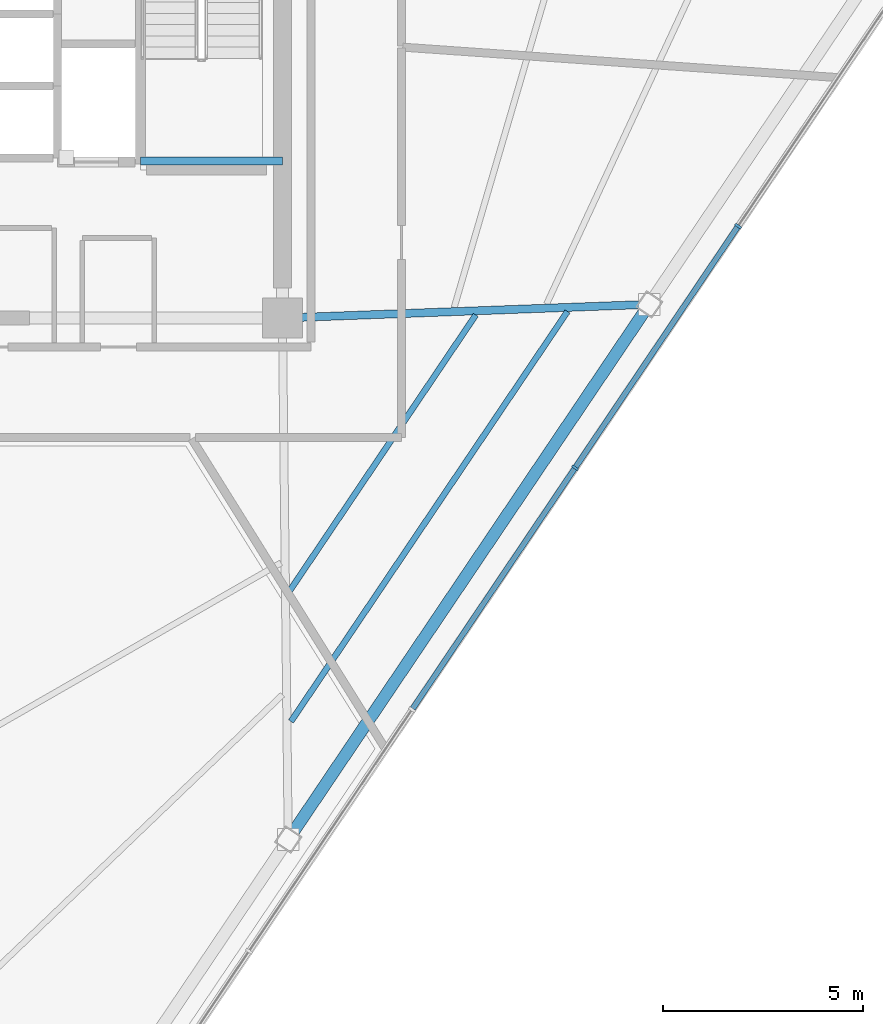
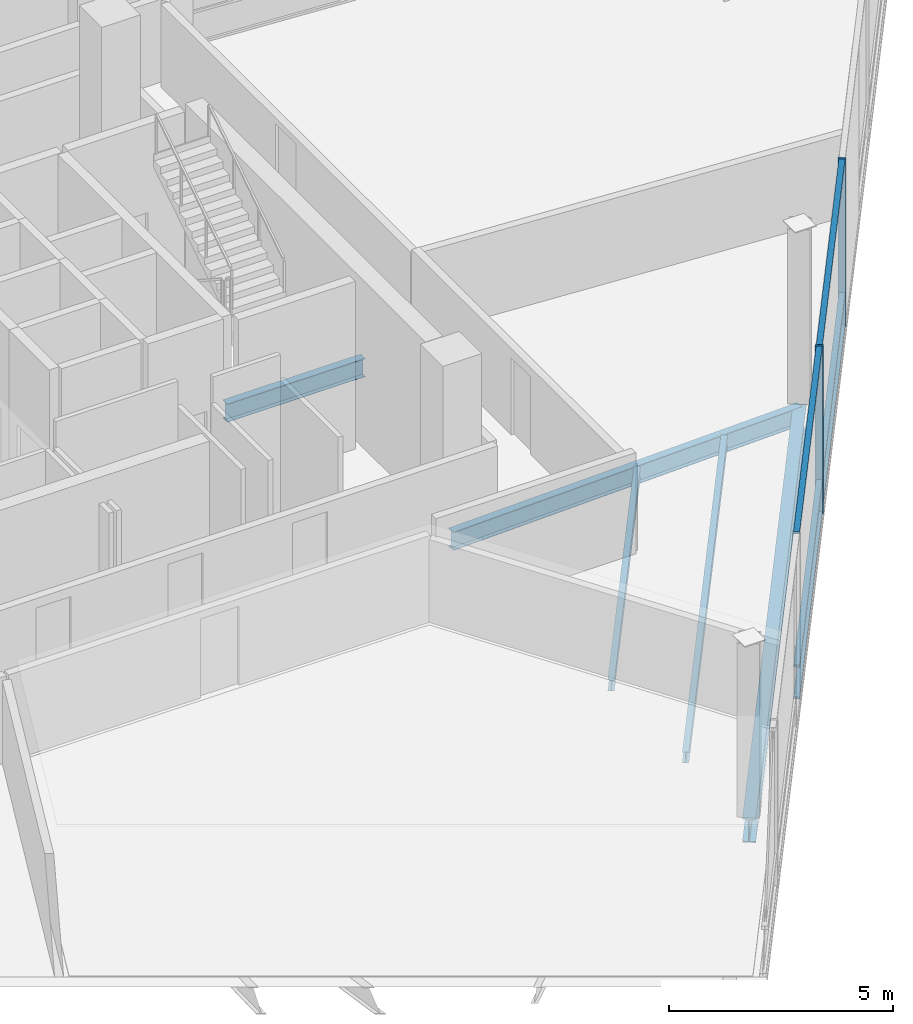
# One storey, part 4 of 13: 8 members, 5 beams, 1 element without a shape of its own.
"""IFC4 building model written with IfcOpenShell, lengths in metres."""

from ifc_helpers import new_model, si_unit, direction, frame, origin, origin_2d, place, context, subcontext, project, spatial, rectangle, i_section, extrude, material, layer, layer_set, material_profile, profile_set, type_object, element, aggregate, save


model = new_model("IFC4")

# Units and contexts
model_context = context("Model", 3, precision=1e-05, world=origin(), true_north=direction((0.0, 1.0)))
body_context = subcontext(model_context, "Body", "Model", "MODEL_VIEW")
ifc_project = project(units=[si_unit("LENGTHUNIT", "METRE"), si_unit("AREAUNIT", "SQUARE_METRE"), si_unit("VOLUMEUNIT", "CUBIC_METRE"), si_unit("PLANEANGLEUNIT", "RADIAN"), si_unit("MASSUNIT", "GRAM", prefix="KILO")], contexts=[model_context])

# Site, building, storey
site_placement = place(None, origin())
site = spatial("IfcSite", under=ifc_project, at=site_placement, CompositionType="ELEMENT")
building_placement = place(site_placement, origin())
building = spatial("IfcBuilding", under=site, at=building_placement, Name="Tharavind Bronze Gate", CompositionType="ELEMENT")
storey_placement = place(building_placement, frame((0.0, 0.0, 248.64990234375)))
storey = spatial("IfcBuildingStorey", under=building, at=storey_placement, Name="L64", CompositionType="ELEMENT", Elevation=248.64990234375)

# Curtain wall, members
ifc_material_1 = material(Name="Anodised Bronze Aluminium", Category="aluminium")
ifc_layer = layer(ifc_material_1, 0.219970703125)
ifc_layer_set = layer_set([ifc_layer], Name="Anodised Bronze Aluminium")
curtain_wall_type = type_object("IfcCurtainWallType", Name="UNITISED CURTAIN WALL UPPER OFFICE", PredefinedType="USERDEFINED", material=ifc_layer_set)
curtain_wall_placement = place(storey_placement, origin())
curtain_wall = element("IfcCurtainWall", 1, at=curtain_wall_placement, inside=storey, type_object=curtain_wall_type, Name="L64 unitised curtain wall upper office CW-L64-S2", ObjectType="UNITISED CURTAIN WALL", PredefinedType="USERDEFINED")
member_type_1 = type_object("IfcMemberType", Name="CURTAIN WALL BRONZE MULLION 65X180", PredefinedType="MULLION", material=ifc_material_1)
member_1_placement = place(storey_placement, frame((16.212890625, -11.34326171875, 0.0), z_axis=(0.0, 0.0, 1.0), x_axis=(0.559192903471, 0.829037572555, 0.0)))
member_1 = element("IfcMember", 2, at=member_1_placement, type_object=member_type_1, Name="CW-L64-S2 mullion 5", PredefinedType="MULLION", context=body_context, shape_type="SweptSolid", body=[
    extrude(rectangle(XDim=0.06494140625, YDim=0.179931640625, at=origin_2d()), origin(), (0.0, 0.0, 1.0), 4.56005859375),
])
member_2_placement = place(storey_placement, frame((20.285400390625, -5.305419921875, 0.0), z_axis=(0.0, 0.0, 1.0), x_axis=(0.559192903471, 0.829037572555, 0.0)))
member_2 = element("IfcMember", 3, at=member_2_placement, type_object=member_type_1, Name="CW-L64-S2 mullion 6", PredefinedType="MULLION", context=body_context, shape_type="SweptSolid", body=[
    extrude(rectangle(XDim=0.06494140625, YDim=0.179931640625, at=origin_2d()), origin(), (0.0, 0.0, 1.0), 4.56005859375),
])
member_type_2 = type_object("IfcMemberType", Name="CURTAIN WALL BRONZE TRANSOM 65X140", PredefinedType="USERDEFINED", material=ifc_material_1)
member_3_placement = place(storey_placement, frame((14.176513671875, -14.3623046875, 0.000244140625), z_axis=(0.0, 0.0, 1.0), x_axis=(0.559192903471, 0.829037572555, 0.0)))
member_3 = element("IfcMember", 4, at=member_3_placement, type_object=member_type_2, Name="CW-L64-S2 transom TB4", ObjectType="TRANSOM", PredefinedType="USERDEFINED", context=body_context, shape_type="SweptSolid", body=[
    extrude(rectangle(XDim=7.22998046875, YDim=0.139892578125, at=origin_2d()), origin(), (0.0, 0.0, 1.0), 0.06494140625),
])
member_4_placement = place(storey_placement, frame((14.176513671875, -14.3623046875, 0.86767578125), z_axis=(0.0, 0.0, 1.0), x_axis=(0.559192903471, 0.829037572555, 0.0)))
member_4 = element("IfcMember", 5, at=member_4_placement, type_object=member_type_2, Name="CW-L64-S2 transom TS4", ObjectType="TRANSOM", PredefinedType="USERDEFINED", context=body_context, shape_type="SweptSolid", body=[
    extrude(rectangle(XDim=7.22998046875, YDim=0.139892578125, at=origin_2d()), origin(), (0.0, 0.0, 1.0), 0.06494140625),
])
member_5_placement = place(storey_placement, frame((14.176513671875, -14.3623046875, 4.4951171875), z_axis=(0.0, 0.0, 1.0), x_axis=(0.559192903471, 0.829037572555, 0.0)))
member_5 = element("IfcMember", 6, at=member_5_placement, type_object=member_type_2, Name="CW-L64-S2 transom TT4", ObjectType="TRANSOM", PredefinedType="USERDEFINED", context=body_context, shape_type="SweptSolid", body=[
    extrude(rectangle(XDim=7.22998046875, YDim=0.139892578125, at=origin_2d()), origin(), (0.0, 0.0, 1.0), 0.06494140625),
])
member_6_placement = place(storey_placement, frame((18.2490234375, -8.324462890625, 0.000244140625), z_axis=(0.0, 0.0, 1.0), x_axis=(0.559192903471, 0.829037572555, 0.0)))
member_6 = element("IfcMember", 7, at=member_6_placement, type_object=member_type_2, Name="CW-L64-S2 transom TB5", ObjectType="TRANSOM", PredefinedType="USERDEFINED", context=body_context, shape_type="SweptSolid", body=[
    extrude(rectangle(XDim=7.22998046875, YDim=0.139892578125, at=origin_2d()), origin(), (0.0, 0.0, 1.0), 0.06494140625),
])
member_7_placement = place(storey_placement, frame((18.2490234375, -8.324462890625, 0.86767578125), z_axis=(0.0, 0.0, 1.0), x_axis=(0.559192903471, 0.829037572555, 0.0)))
member_7 = element("IfcMember", 8, at=member_7_placement, type_object=member_type_2, Name="CW-L64-S2 transom TS5", ObjectType="TRANSOM", PredefinedType="USERDEFINED", context=body_context, shape_type="SweptSolid", body=[
    extrude(rectangle(XDim=7.22998046875, YDim=0.139892578125, at=origin_2d()), origin(), (0.0, 0.0, 1.0), 0.06494140625),
])
member_8_placement = place(storey_placement, frame((18.2490234375, -8.324462890625, 4.4951171875), z_axis=(0.0, 0.0, 1.0), x_axis=(0.559192903471, 0.829037572555, 0.0)))
member_8 = element("IfcMember", 9, at=member_8_placement, type_object=member_type_2, Name="CW-L64-S2 transom TT5", ObjectType="TRANSOM", PredefinedType="USERDEFINED", context=body_context, shape_type="SweptSolid", body=[
    extrude(rectangle(XDim=7.22998046875, YDim=0.139892578125, at=origin_2d()), origin(), (0.0, 0.0, 1.0), 0.06494140625),
])
aggregate(curtain_wall, [member_1, member_2, member_3, member_4, member_5, member_6, member_7, member_8])

# Beams
ifc_material_2 = material(Name="Steel S355", Category="steel")
ifc_material_profile_1 = material_profile(ifc_material_2, i_section(OverallWidth=0.300048828125, OverallDepth=0.64990234375, WebThickness=0.01611328125, FlangeThickness=0.031005859375, at=origin_2d()), Name="HE650B")
ifc_profile_set_1 = profile_set([ifc_material_profile_1], Name="Steel S355")
beam_type_1 = type_object("IfcBeamType", Name="PRIMARY GIRDER HE650B", PredefinedType="USERDEFINED", material=ifc_profile_set_1)
beam_1_placement = place(storey_placement, frame((9.045654296875, -20.627685546875, -0.5048828125), z_axis=(0.559202164633, 0.829031325747, 0.0), x_axis=(-0.829031325747, 0.559202164633, 0.0)))
element("IfcBeam", 10, at=beam_1_placement, inside=storey, type_object=beam_type_1, Name="L64 primary girder he650b BM-L64-PRG06", ObjectType="GIRDER", PredefinedType="USERDEFINED", context=body_context, shape_type="SweptSolid", body=[
    extrude(i_section(OverallWidth=0.300048828125, OverallDepth=0.64990234375, WebThickness=0.01611328125, FlangeThickness=0.031005859375, at=origin_2d()), origin(), (0.0, 0.0, 1.0), 16.127197265625),
])
ifc_material_profile_2 = material_profile(ifc_material_2, i_section(OverallWidth=0.199951171875, OverallDepth=0.5, WebThickness=0.01025390625, FlangeThickness=0.01611328125, at=origin_2d()), Name="IPE500")
ifc_profile_set_2 = profile_set([ifc_material_profile_2], Name="Steel S355")
beam_type_2 = type_object("IfcBeamType", Name="PRIMARY GIRDER IPE500", PredefinedType="USERDEFINED", material=ifc_profile_set_2)
beam_2_placement = place(storey_placement, frame((5.35009765625, -3.679931640625, 1.925048828125), z_axis=(1.0, 0.0, 0.0), x_axis=(0.0, 1.0, 0.0)))
element("IfcBeam", 11, at=beam_2_placement, inside=storey, type_object=beam_type_2, Name="L64 primary girder ipe500 BM-LD-ST2-L64-1", ObjectType="GIRDER", PredefinedType="USERDEFINED", context=body_context, shape_type="SweptSolid", body=[
    extrude(i_section(OverallWidth=0.199951171875, OverallDepth=0.5, WebThickness=0.01025390625, FlangeThickness=0.01611328125, at=origin_2d()), origin(), (0.0, 0.0, 1.0), 3.5498046875),
])
beam_3_placement = place(storey_placement, frame((18.06396484375, -7.2578125, -0.429931640625), z_axis=(-0.999303187499, -0.037324783378, 0.0), x_axis=(0.037324783378, -0.999303187499, 0.0)))
element("IfcBeam", 12, at=beam_3_placement, inside=storey, type_object=beam_type_2, Name="L64 primary girder ipe500 BM-L64-RAD07", ObjectType="GIRDER", PredefinedType="USERDEFINED", context=body_context, shape_type="SweptSolid", body=[
    extrude(i_section(OverallWidth=0.199951171875, OverallDepth=0.5, WebThickness=0.01025390625, FlangeThickness=0.01611328125, at=origin_2d()), origin(), (0.0, 0.0, 1.0), 9.17041015625),
])
ifc_material_profile_3 = material_profile(ifc_material_2, i_section(OverallWidth=0.14990234375, OverallDepth=0.300048828125, WebThickness=0.007080078125, FlangeThickness=0.0107421875, at=origin_2d()), Name="IPE300")
ifc_profile_set_3 = profile_set([ifc_material_profile_3], Name="Steel S355")
beam_type_3 = type_object("IfcBeamType", Name="SECONDARY FLOOR JOIST IPE300", PredefinedType="JOIST", material=ifc_profile_set_3)
beam_4_placement = place(storey_placement, frame((9.07861328125, -14.420654296875, -0.329833984375), z_axis=(0.559181536452, 0.829045239593, 0.0), x_axis=(-0.829045239593, 0.559181536452, 0.0)))
element("IfcBeam", 13, at=beam_4_placement, inside=storey, type_object=beam_type_3, Name="L64 secondary floor joist ipe300 BM-L64-JSTA06", PredefinedType="JOIST", context=body_context, shape_type="SweptSolid", body=[
    extrude(i_section(OverallWidth=0.14990234375, OverallDepth=0.300048828125, WebThickness=0.007080078125, FlangeThickness=0.0107421875, at=origin_2d()), origin(), (0.0, 0.0, 1.0), 8.3203125),
])
beam_5_placement = place(storey_placement, frame((9.114990234375, -17.677734375, -0.329833984375), z_axis=(0.559189375042, 0.8290399525, 0.0), x_axis=(-0.8290399525, 0.559189375042, 0.0)))
element("IfcBeam", 14, at=beam_5_placement, inside=storey, type_object=beam_type_3, Name="L64 secondary floor joist ipe300 BM-L64-JSTB06", PredefinedType="JOIST", context=body_context, shape_type="SweptSolid", body=[
    extrude(i_section(OverallWidth=0.14990234375, OverallDepth=0.300048828125, WebThickness=0.007080078125, FlangeThickness=0.0107421875, at=origin_2d()), origin(), (0.0, 0.0, 1.0), 12.352294921875),
])

save(model, "model.ifc")
